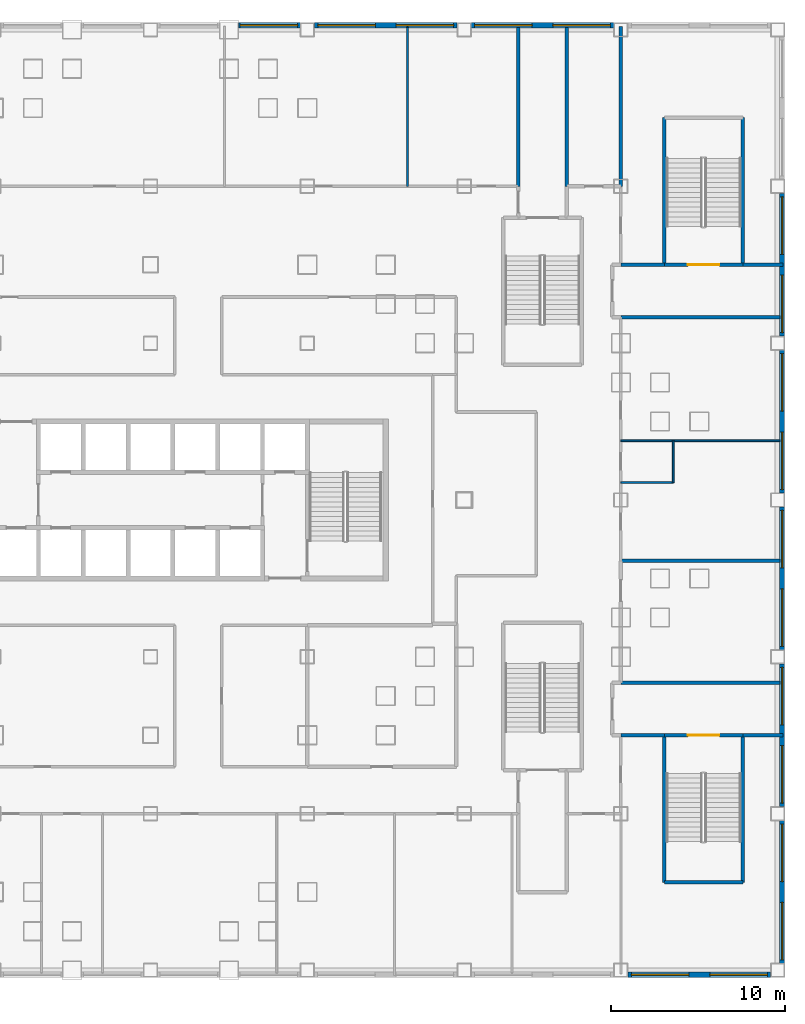
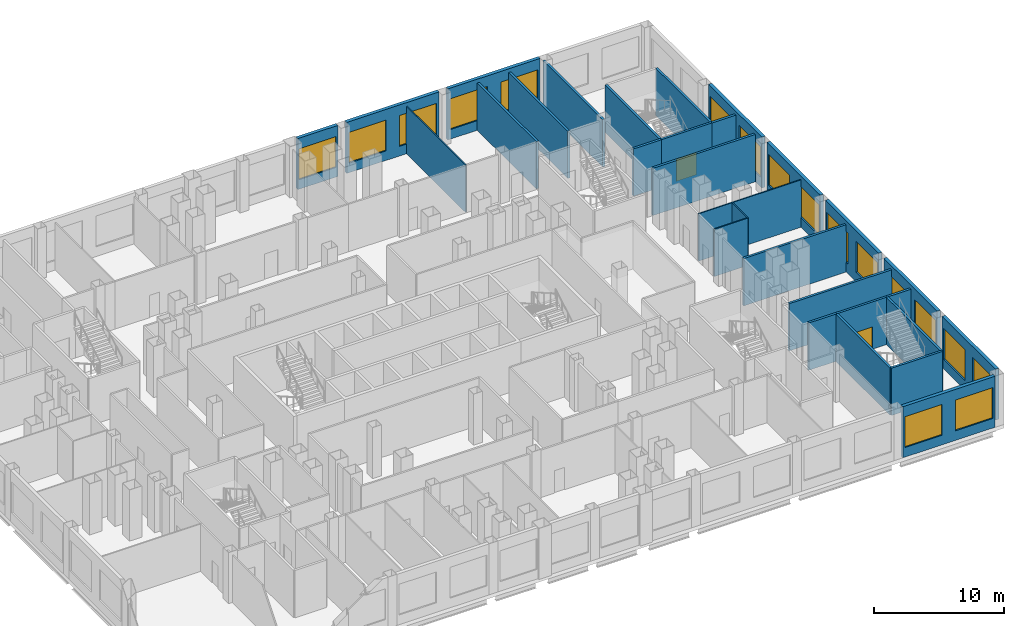
# One storey, part 8 of 23: 31 walls, 17 windows, 2 doors, 19 openings.
"""IFC4 building model written with IfcOpenShell, lengths in metres."""

from ifc_helpers import new_model, si_unit, direction, frame, frame_2d, origin, place, context, subcontext, project, spatial, rectangle, extrude, material, layer, layer_set, type_object, element, fill, save


model = new_model("IFC4")

# Units and contexts
model_context = context("Model", 3, precision=1e-05, world=origin(), true_north=direction((0.0, 1.0)))
body_context = subcontext(model_context, "Body", "Model", "MODEL_VIEW")
ifc_project = project(units=[si_unit("LENGTHUNIT", "METRE"), si_unit("AREAUNIT", "SQUARE_METRE"), si_unit("VOLUMEUNIT", "CUBIC_METRE"), si_unit("PLANEANGLEUNIT", "RADIAN"), si_unit("MASSUNIT", "GRAM", prefix="KILO")], contexts=[model_context])

# Site, building, storey
site_placement = place(None, origin())
site = spatial("IfcSite", under=ifc_project, at=site_placement, CompositionType="ELEMENT")
building_placement = place(site_placement, origin())
building = spatial("IfcBuilding", under=site, at=building_placement, Name="Caravel Reach Hotel and Residences", CompositionType="ELEMENT")
storey_placement = place(building_placement, frame((0.0, 0.0, 24.0)))
storey = spatial("IfcBuildingStorey", under=building, at=storey_placement, Name="L04", CompositionType="ELEMENT", Elevation=24.0)

# Walls
ifc_material_1 = material(Name="Autoclaved aerated block wall")
ifc_layer_1 = layer(ifc_material_1, 0.199951171875)
ifc_layer_set_1 = layer_set([ifc_layer_1], Name="Compartment wall 200 mm EI 120")
wall_type_1 = type_object("IfcWallType", Name="Compartment wall 200 mm EI 120", PredefinedType="PARTITIONING", material=ifc_layer_set_1)
wall_1_placement = place(storey_placement, frame((58.5, 13.5, 0.0), z_axis=(0.0, 0.0, 1.0), x_axis=(1.0, 0.0, 0.0)))
element("IfcWall", 1, at=wall_1_placement, inside=storey, type_object=wall_type_1, Name="L04 wall w089", PredefinedType="PARTITIONING", context=body_context, shape_type="SweptSolid", body=[
    extrude(rectangle(XDim=2.5, YDim=0.199951171875, at=frame_2d((1.25, 0.0))), origin(), (0.0, 0.0, 1.0), 4.449951171875),
])
wall_2_placement = place(storey_placement, frame((65.5, 13.5, 0.0), z_axis=(0.0, 0.0, 1.0), x_axis=(1.0, 0.0, 0.0)))
element("IfcWall", 2, at=wall_2_placement, inside=storey, type_object=wall_type_1, Name="L04 wall w090", PredefinedType="PARTITIONING", context=body_context, shape_type="SweptSolid", body=[
    extrude(rectangle(XDim=2.2900390625, YDim=0.199951171875, at=frame_2d((1.14501953125, 0.0))), origin(), (0.0, 0.0, 1.0), 4.449951171875),
])
for number, where, z_axis, x_axis, name in (
    (3, (58.5, 16.5, 0.0), (0.0, 0.0, 1.0), (1.0, 0.0, 0.0), "L04 wall w092"),
    (4, (58.5, 23.5, 0.0), (0.0, 0.0, 1.0), (1.0, 0.0, 0.0), "L04 wall w095"),
    (5, (58.5, 37.5, 0.0), (0.0, 0.0, 1.0), (1.0, 0.0, 0.0), "L04 wall w099"),
):
    element("IfcWall", number, at=place(storey_placement, frame(where, z_axis=z_axis, x_axis=x_axis)), inside=storey, type_object=wall_type_1, Name=name, PredefinedType="PARTITIONING", context=body_context, shape_type="SweptSolid", body=[
        extrude(rectangle(XDim=9.1201171875, YDim=0.199951171875, at=frame_2d((4.56005859375, 0.0))), origin(), (0.0, 0.0, 1.0), 4.449951171875),
    ])
wall_3_placement = place(storey_placement, frame((58.5, 40.5, 0.0), z_axis=(0.0, 0.0, 1.0), x_axis=(1.0, 0.0, 0.0)))
element("IfcWall", 6, at=wall_3_placement, inside=storey, type_object=wall_type_1, Name="L04 wall w106", PredefinedType="PARTITIONING", context=body_context, shape_type="SweptSolid", body=[
    extrude(rectangle(XDim=2.5, YDim=0.199951171875, at=frame_2d((1.25, 0.0))), origin(), (0.0, 0.0, 1.0), 4.449951171875),
])
wall_4_placement = place(storey_placement, frame((65.5, 40.5, 0.0), z_axis=(0.0, 0.0, 1.0), x_axis=(1.0, 0.0, 0.0)))
element("IfcWall", 7, at=wall_4_placement, inside=storey, type_object=wall_type_1, Name="L04 wall w107", PredefinedType="PARTITIONING", context=body_context, shape_type="SweptSolid", body=[
    extrude(rectangle(XDim=2.2900390625, YDim=0.199951171875, at=frame_2d((1.14501953125, 0.0))), origin(), (0.0, 0.0, 1.0), 4.449951171875),
])
for number, where, z_axis, x_axis, name in (
    (8, (52.60009765625, 45.0, 0.0), (0.0, 0.0, 1.0), (0.0, 1.0, 0.0), "L04 wall w117"),
    (9, (55.39990234375, 45.0, 0.0), (0.0, 0.0, 1.0), (0.0, 1.0, 0.0), "L04 wall w121"),
):
    element("IfcWall", number, at=place(storey_placement, frame(where, z_axis=z_axis, x_axis=x_axis)), inside=storey, type_object=wall_type_1, Name=name, PredefinedType="PARTITIONING", context=body_context, shape_type="SweptSolid", body=[
        extrude(rectangle(XDim=9.1201171875, YDim=0.199951171875, at=frame_2d((4.56005859375, 0.0))), origin(), (0.0, 0.0, 1.0), 4.449951171875),
    ])
wall_5_placement = place(storey_placement, frame((58.5, 45.0, 0.0), z_axis=(0.0, 0.0, 1.0), x_axis=(0.0, 1.0, 0.0)))
element("IfcWall", 10, at=wall_5_placement, inside=storey, type_object=wall_type_1, Name="L04 wall w127", PredefinedType="PARTITIONING", context=body_context, shape_type="SweptSolid", body=[
    extrude(rectangle(XDim=9.18994140625, YDim=0.199951171875, at=frame_2d((4.594970703125, 0.0))), origin(), (0.0, 0.0, 1.0), 4.449951171875),
])

# Wall, openings, windows
ifc_material_2 = material(Name="Insulated wall, stone cladding", Category="masonry")
ifc_layer_2 = layer(ifc_material_2, 0.300048828125)
ifc_layer_set_2 = layer_set([ifc_layer_2], Name="EW2 Podium stone-clad wall")
wall_type_2 = type_object("IfcWallType", Name="EW2 Podium stone-clad wall", PredefinedType="SOLIDWALL", material=ifc_layer_set_2)
wall_6_placement = place(storey_placement, frame((67.75, 0.39990234375, 0.0), z_axis=(0.0, 0.0, 1.0), x_axis=(0.0, 1.0, 0.0)))
wall_6 = element("IfcWall", 11, at=wall_6_placement, inside=storey, type_object=wall_type_2, Name="External wall L04 E1.1", PredefinedType="SOLIDWALL", context=body_context, shape_type="SweptSolid", body=[
    extrude(rectangle(XDim=8.2001953125, YDim=0.300048828125, at=frame_2d((4.10009765625, 0.0))), origin(), (0.0, 0.0, 1.0), 4.800048828125),
])
opening_1_placement = place(wall_6_placement, frame((0.199951171875, 0.0, 0.89990234375)))
opening_1 = element("IfcOpeningElement", 12, at=opening_1_placement, cuts=wall_6, Name="Opening WN32", PredefinedType="OPENING", context=body_context, shape_type="SweptSolid", body=[
    extrude(rectangle(XDim=3.300048828125, YDim=2.89990234375, at=frame_2d((1.64990234375, 1.449951171875))), frame((0.0, 0.159912109375, 0.0), z_axis=(0.0, -1.0, 0.0), x_axis=(1.0, 0.0, 0.0)), (0.0, 0.0, 1.0), 0.320068359375),
])
opening_2_placement = place(wall_6_placement, frame((4.699951171875, 0.0, 0.89990234375)))
opening_2 = element("IfcOpeningElement", 13, at=opening_2_placement, cuts=wall_6, Name="Opening WN32", PredefinedType="OPENING", context=body_context, shape_type="SweptSolid", body=[
    extrude(rectangle(XDim=3.300048828125, YDim=2.89990234375, at=frame_2d((1.64990234375, 1.449951171875))), frame((0.0, 0.159912109375, 0.0), z_axis=(0.0, -1.0, 0.0), x_axis=(1.0, 0.0, 0.0)), (0.0, 0.0, 1.0), 0.320068359375),
])
ifc_material_3 = material(Name="Dark low-e glazing in black aluminium frame", Category="aluminium")
window_type = type_object("IfcWindowType", Name="Podium window 3300 x 2900", PartitioningType="SINGLE_PANEL", PredefinedType="WINDOW", material=ifc_material_3)
window_1_placement = place(opening_1_placement, origin())
window_1 = element("IfcWindow", 14, at=window_1_placement, inside=storey, type_object=window_type, Name="Window L04 E1.1.1", OverallHeight=2.89990234375, OverallWidth=3.300048828125, PartitioningType="SINGLE_PANEL", PredefinedType="WINDOW", context=body_context, shape_type="SweptSolid", body=[
    extrude(rectangle(XDim=3.300048828125, YDim=2.89990234375, at=frame_2d((1.64990234375, 1.449951171875))), frame((0.0, 0.030029296875, 0.0), z_axis=(0.0, -1.0, 0.0), x_axis=(1.0, 0.0, 0.0)), (0.0, 0.0, 1.0), 0.06005859375),
])
fill(opening_1, window_1)
window_2_placement = place(opening_2_placement, origin())
window_2 = element("IfcWindow", 15, at=window_2_placement, inside=storey, type_object=window_type, Name="Window L04 E1.1.2", OverallHeight=2.89990234375, OverallWidth=3.300048828125, PartitioningType="SINGLE_PANEL", PredefinedType="WINDOW", context=body_context, shape_type="SweptSolid", body=[
    extrude(rectangle(XDim=3.300048828125, YDim=2.89990234375, at=frame_2d((1.64990234375, 1.449951171875))), frame((0.0, 0.030029296875, 0.0), z_axis=(0.0, -1.0, 0.0), x_axis=(1.0, 0.0, 0.0)), (0.0, 0.0, 1.0), 0.06005859375),
])
fill(opening_2, window_2)

wall_7_placement = place(storey_placement, frame((67.75, 9.39990234375, 0.0), z_axis=(0.0, 0.0, 1.0), x_axis=(0.0, 1.0, 0.0)))
wall_7 = element("IfcWall", 16, at=wall_7_placement, inside=storey, type_object=wall_type_2, Name="External wall L04 E1.2", PredefinedType="SOLIDWALL", context=body_context, shape_type="SweptSolid", body=[
    extrude(rectangle(XDim=8.2001953125, YDim=0.300048828125, at=frame_2d((4.10009765625, 0.0))), origin(), (0.0, 0.0, 1.0), 4.800048828125),
])
opening_3_placement = place(wall_7_placement, frame((0.199951171875, 0.0, 0.89990234375)))
opening_3 = element("IfcOpeningElement", 17, at=opening_3_placement, cuts=wall_7, Name="Opening WN32", PredefinedType="OPENING", context=body_context, shape_type="SweptSolid", body=[
    extrude(rectangle(XDim=3.300048828125, YDim=2.89990234375, at=frame_2d((1.64990234375, 1.449951171875))), frame((0.0, 0.159912109375, 0.0), z_axis=(0.0, -1.0, 0.0), x_axis=(1.0, 0.0, 0.0)), (0.0, 0.0, 1.0), 0.320068359375),
])
opening_4_placement = place(wall_7_placement, frame((4.699951171875, 0.0, 0.89990234375)))
opening_4 = element("IfcOpeningElement", 18, at=opening_4_placement, cuts=wall_7, Name="Opening WN32", PredefinedType="OPENING", context=body_context, shape_type="SweptSolid", body=[
    extrude(rectangle(XDim=3.300048828125, YDim=2.89990234375, at=frame_2d((1.64990234375, 1.449951171875))), frame((0.0, 0.159912109375, 0.0), z_axis=(0.0, -1.0, 0.0), x_axis=(1.0, 0.0, 0.0)), (0.0, 0.0, 1.0), 0.320068359375),
])
window_3_placement = place(opening_3_placement, origin())
window_3 = element("IfcWindow", 19, at=window_3_placement, inside=storey, type_object=window_type, Name="Window L04 E1.2.1", OverallHeight=2.89990234375, OverallWidth=3.300048828125, PartitioningType="SINGLE_PANEL", PredefinedType="WINDOW", context=body_context, shape_type="SweptSolid", body=[
    extrude(rectangle(XDim=3.300048828125, YDim=2.89990234375, at=frame_2d((1.64990234375, 1.449951171875))), frame((0.0, 0.030029296875, 0.0), z_axis=(0.0, -1.0, 0.0), x_axis=(1.0, 0.0, 0.0)), (0.0, 0.0, 1.0), 0.06005859375),
])
fill(opening_3, window_3)
window_4_placement = place(opening_4_placement, origin())
window_4 = element("IfcWindow", 20, at=window_4_placement, inside=storey, type_object=window_type, Name="Window L04 E1.2.2", OverallHeight=2.89990234375, OverallWidth=3.300048828125, PartitioningType="SINGLE_PANEL", PredefinedType="WINDOW", context=body_context, shape_type="SweptSolid", body=[
    extrude(rectangle(XDim=3.300048828125, YDim=2.89990234375, at=frame_2d((1.64990234375, 1.449951171875))), frame((0.0, 0.030029296875, 0.0), z_axis=(0.0, -1.0, 0.0), x_axis=(1.0, 0.0, 0.0)), (0.0, 0.0, 1.0), 0.06005859375),
])
fill(opening_4, window_4)

wall_8_placement = place(storey_placement, frame((67.75, 18.39990234375, 0.0), z_axis=(0.0, 0.0, 1.0), x_axis=(0.0, 1.0, 0.0)))
wall_8 = element("IfcWall", 21, at=wall_8_placement, inside=storey, type_object=wall_type_2, Name="External wall L04 E1.3", PredefinedType="SOLIDWALL", context=body_context, shape_type="SweptSolid", body=[
    extrude(rectangle(XDim=8.2001953125, YDim=0.300048828125, at=frame_2d((4.10009765625, 0.0))), origin(), (0.0, 0.0, 1.0), 4.800048828125),
])
opening_5_placement = place(wall_8_placement, frame((0.199951171875, 0.0, 0.89990234375)))
opening_5 = element("IfcOpeningElement", 22, at=opening_5_placement, cuts=wall_8, Name="Opening WN32", PredefinedType="OPENING", context=body_context, shape_type="SweptSolid", body=[
    extrude(rectangle(XDim=3.300048828125, YDim=2.89990234375, at=frame_2d((1.64990234375, 1.449951171875))), frame((0.0, 0.159912109375, 0.0), z_axis=(0.0, -1.0, 0.0), x_axis=(1.0, 0.0, 0.0)), (0.0, 0.0, 1.0), 0.320068359375),
])
opening_6_placement = place(wall_8_placement, frame((4.699951171875, 0.0, 0.89990234375)))
opening_6 = element("IfcOpeningElement", 23, at=opening_6_placement, cuts=wall_8, Name="Opening WN32", PredefinedType="OPENING", context=body_context, shape_type="SweptSolid", body=[
    extrude(rectangle(XDim=3.300048828125, YDim=2.89990234375, at=frame_2d((1.64990234375, 1.449951171875))), frame((0.0, 0.159912109375, 0.0), z_axis=(0.0, -1.0, 0.0), x_axis=(1.0, 0.0, 0.0)), (0.0, 0.0, 1.0), 0.320068359375),
])
window_5_placement = place(opening_5_placement, origin())
window_5 = element("IfcWindow", 24, at=window_5_placement, inside=storey, type_object=window_type, Name="Window L04 E1.3.1", OverallHeight=2.89990234375, OverallWidth=3.300048828125, PartitioningType="SINGLE_PANEL", PredefinedType="WINDOW", context=body_context, shape_type="SweptSolid", body=[
    extrude(rectangle(XDim=3.300048828125, YDim=2.89990234375, at=frame_2d((1.64990234375, 1.449951171875))), frame((0.0, 0.030029296875, 0.0), z_axis=(0.0, -1.0, 0.0), x_axis=(1.0, 0.0, 0.0)), (0.0, 0.0, 1.0), 0.06005859375),
])
fill(opening_5, window_5)
window_6_placement = place(opening_6_placement, origin())
window_6 = element("IfcWindow", 25, at=window_6_placement, inside=storey, type_object=window_type, Name="Window L04 E1.3.2", OverallHeight=2.89990234375, OverallWidth=3.300048828125, PartitioningType="SINGLE_PANEL", PredefinedType="WINDOW", context=body_context, shape_type="SweptSolid", body=[
    extrude(rectangle(XDim=3.300048828125, YDim=2.89990234375, at=frame_2d((1.64990234375, 1.449951171875))), frame((0.0, 0.030029296875, 0.0), z_axis=(0.0, -1.0, 0.0), x_axis=(1.0, 0.0, 0.0)), (0.0, 0.0, 1.0), 0.06005859375),
])
fill(opening_6, window_6)

wall_9_placement = place(storey_placement, frame((67.75, 27.39990234375, 0.0), z_axis=(0.0, 0.0, 1.0), x_axis=(0.0, 1.0, 0.0)))
wall_9 = element("IfcWall", 26, at=wall_9_placement, inside=storey, type_object=wall_type_2, Name="External wall L04 E1.4", PredefinedType="SOLIDWALL", context=body_context, shape_type="SweptSolid", body=[
    extrude(rectangle(XDim=8.2001953125, YDim=0.300048828125, at=frame_2d((4.10009765625, 0.0))), origin(), (0.0, 0.0, 1.0), 4.800048828125),
])
opening_7_placement = place(wall_9_placement, frame((0.199951171875, 0.0, 0.89990234375)))
opening_7 = element("IfcOpeningElement", 27, at=opening_7_placement, cuts=wall_9, Name="Opening WN32", PredefinedType="OPENING", context=body_context, shape_type="SweptSolid", body=[
    extrude(rectangle(XDim=3.300048828125, YDim=2.89990234375, at=frame_2d((1.64990234375, 1.449951171875))), frame((0.0, 0.159912109375, 0.0), z_axis=(0.0, -1.0, 0.0), x_axis=(1.0, 0.0, 0.0)), (0.0, 0.0, 1.0), 0.320068359375),
])
opening_8_placement = place(wall_9_placement, frame((4.699951171875, 0.0, 0.89990234375)))
opening_8 = element("IfcOpeningElement", 28, at=opening_8_placement, cuts=wall_9, Name="Opening WN32", PredefinedType="OPENING", context=body_context, shape_type="SweptSolid", body=[
    extrude(rectangle(XDim=3.300048828125, YDim=2.89990234375, at=frame_2d((1.64990234375, 1.449951171875))), frame((0.0, 0.159912109375, 0.0), z_axis=(0.0, -1.0, 0.0), x_axis=(1.0, 0.0, 0.0)), (0.0, 0.0, 1.0), 0.320068359375),
])
window_7_placement = place(opening_7_placement, origin())
window_7 = element("IfcWindow", 29, at=window_7_placement, inside=storey, type_object=window_type, Name="Window L04 E1.4.1", OverallHeight=2.89990234375, OverallWidth=3.300048828125, PartitioningType="SINGLE_PANEL", PredefinedType="WINDOW", context=body_context, shape_type="SweptSolid", body=[
    extrude(rectangle(XDim=3.300048828125, YDim=2.89990234375, at=frame_2d((1.64990234375, 1.449951171875))), frame((0.0, 0.030029296875, 0.0), z_axis=(0.0, -1.0, 0.0), x_axis=(1.0, 0.0, 0.0)), (0.0, 0.0, 1.0), 0.06005859375),
])
fill(opening_7, window_7)
window_8_placement = place(opening_8_placement, origin())
window_8 = element("IfcWindow", 30, at=window_8_placement, inside=storey, type_object=window_type, Name="Window L04 E1.4.2", OverallHeight=2.89990234375, OverallWidth=3.300048828125, PartitioningType="SINGLE_PANEL", PredefinedType="WINDOW", context=body_context, shape_type="SweptSolid", body=[
    extrude(rectangle(XDim=3.300048828125, YDim=2.89990234375, at=frame_2d((1.64990234375, 1.449951171875))), frame((0.0, 0.030029296875, 0.0), z_axis=(0.0, -1.0, 0.0), x_axis=(1.0, 0.0, 0.0)), (0.0, 0.0, 1.0), 0.06005859375),
])
fill(opening_8, window_8)

wall_10_placement = place(storey_placement, frame((67.75, 36.39990234375, 0.0), z_axis=(0.0, 0.0, 1.0), x_axis=(0.0, 1.0, 0.0)))
wall_10 = element("IfcWall", 31, at=wall_10_placement, inside=storey, type_object=wall_type_2, Name="External wall L04 E1.5", PredefinedType="SOLIDWALL", context=body_context, shape_type="SweptSolid", body=[
    extrude(rectangle(XDim=8.2001953125, YDim=0.300048828125, at=frame_2d((4.10009765625, 0.0))), origin(), (0.0, 0.0, 1.0), 4.800048828125),
])
opening_9_placement = place(wall_10_placement, frame((0.199951171875, 0.0, 0.89990234375)))
opening_9 = element("IfcOpeningElement", 32, at=opening_9_placement, cuts=wall_10, Name="Opening WN32", PredefinedType="OPENING", context=body_context, shape_type="SweptSolid", body=[
    extrude(rectangle(XDim=3.300048828125, YDim=2.89990234375, at=frame_2d((1.64990234375, 1.449951171875))), frame((0.0, 0.159912109375, 0.0), z_axis=(0.0, -1.0, 0.0), x_axis=(1.0, 0.0, 0.0)), (0.0, 0.0, 1.0), 0.320068359375),
])
opening_10_placement = place(wall_10_placement, frame((4.699951171875, 0.0, 0.89990234375)))
opening_10 = element("IfcOpeningElement", 33, at=opening_10_placement, cuts=wall_10, Name="Opening WN32", PredefinedType="OPENING", context=body_context, shape_type="SweptSolid", body=[
    extrude(rectangle(XDim=3.300048828125, YDim=2.89990234375, at=frame_2d((1.64990234375, 1.449951171875))), frame((0.0, 0.159912109375, 0.0), z_axis=(0.0, -1.0, 0.0), x_axis=(1.0, 0.0, 0.0)), (0.0, 0.0, 1.0), 0.320068359375),
])
window_9_placement = place(opening_9_placement, origin())
window_9 = element("IfcWindow", 34, at=window_9_placement, inside=storey, type_object=window_type, Name="Window L04 E1.5.1", OverallHeight=2.89990234375, OverallWidth=3.300048828125, PartitioningType="SINGLE_PANEL", PredefinedType="WINDOW", context=body_context, shape_type="SweptSolid", body=[
    extrude(rectangle(XDim=3.300048828125, YDim=2.89990234375, at=frame_2d((1.64990234375, 1.449951171875))), frame((0.0, 0.030029296875, 0.0), z_axis=(0.0, -1.0, 0.0), x_axis=(1.0, 0.0, 0.0)), (0.0, 0.0, 1.0), 0.06005859375),
])
fill(opening_9, window_9)
window_10_placement = place(opening_10_placement, origin())
window_10 = element("IfcWindow", 35, at=window_10_placement, inside=storey, type_object=window_type, Name="Window L04 E1.5.2", OverallHeight=2.89990234375, OverallWidth=3.300048828125, PartitioningType="SINGLE_PANEL", PredefinedType="WINDOW", context=body_context, shape_type="SweptSolid", body=[
    extrude(rectangle(XDim=3.300048828125, YDim=2.89990234375, at=frame_2d((1.64990234375, 1.449951171875))), frame((0.0, 0.030029296875, 0.0), z_axis=(0.0, -1.0, 0.0), x_axis=(1.0, 0.0, 0.0)), (0.0, 0.0, 1.0), 0.06005859375),
])
fill(opening_10, window_10)

wall_11_placement = place(storey_placement, frame((58.10009765625, 54.25, 0.0), z_axis=(0.0, 0.0, 1.0), x_axis=(-1.0, 0.0, 0.0)))
wall_11 = element("IfcWall", 36, at=wall_11_placement, inside=storey, type_object=wall_type_2, Name="External wall L04 N2.2", PredefinedType="SOLIDWALL", context=body_context, shape_type="SweptSolid", body=[
    extrude(rectangle(XDim=8.2001953125, YDim=0.300048828125, at=frame_2d((4.10009765625, 0.0))), origin(), (0.0, 0.0, 1.0), 4.800048828125),
])
opening_11_placement = place(wall_11_placement, frame((0.199951171875, 0.0, 0.89990234375)))
opening_11 = element("IfcOpeningElement", 37, at=opening_11_placement, cuts=wall_11, Name="Opening WN32", PredefinedType="OPENING", context=body_context, shape_type="SweptSolid", body=[
    extrude(rectangle(XDim=3.300048828125, YDim=2.89990234375, at=frame_2d((1.64990234375, 1.449951171875))), frame((0.0, 0.159912109375, 0.0), z_axis=(0.0, -1.0, 0.0), x_axis=(1.0, 0.0, 0.0)), (0.0, 0.0, 1.0), 0.320068359375),
])
opening_12_placement = place(wall_11_placement, frame((4.699951171875, 0.0, 0.89990234375)))
opening_12 = element("IfcOpeningElement", 38, at=opening_12_placement, cuts=wall_11, Name="Opening WN32", PredefinedType="OPENING", context=body_context, shape_type="SweptSolid", body=[
    extrude(rectangle(XDim=3.300048828125, YDim=2.89990234375, at=frame_2d((1.64990234375, 1.449951171875))), frame((0.0, 0.159912109375, 0.0), z_axis=(0.0, -1.0, 0.0), x_axis=(1.0, 0.0, 0.0)), (0.0, 0.0, 1.0), 0.320068359375),
])
window_11_placement = place(opening_11_placement, origin())
window_11 = element("IfcWindow", 39, at=window_11_placement, inside=storey, type_object=window_type, Name="Window L04 N2.2.1", OverallHeight=2.89990234375, OverallWidth=3.300048828125, PartitioningType="SINGLE_PANEL", PredefinedType="WINDOW", context=body_context, shape_type="SweptSolid", body=[
    extrude(rectangle(XDim=3.300048828125, YDim=2.89990234375, at=frame_2d((1.64990234375, 1.449951171875))), frame((0.0, 0.030029296875, 0.0), z_axis=(0.0, -1.0, 0.0), x_axis=(1.0, 0.0, 0.0)), (0.0, 0.0, 1.0), 0.06005859375),
])
fill(opening_11, window_11)
window_12_placement = place(opening_12_placement, origin())
window_12 = element("IfcWindow", 40, at=window_12_placement, inside=storey, type_object=window_type, Name="Window L04 N2.2.2", OverallHeight=2.89990234375, OverallWidth=3.300048828125, PartitioningType="SINGLE_PANEL", PredefinedType="WINDOW", context=body_context, shape_type="SweptSolid", body=[
    extrude(rectangle(XDim=3.300048828125, YDim=2.89990234375, at=frame_2d((1.64990234375, 1.449951171875))), frame((0.0, 0.030029296875, 0.0), z_axis=(0.0, -1.0, 0.0), x_axis=(1.0, 0.0, 0.0)), (0.0, 0.0, 1.0), 0.06005859375),
])
fill(opening_12, window_12)

wall_12_placement = place(storey_placement, frame((49.10009765625, 54.25, 0.0), z_axis=(0.0, 0.0, 1.0), x_axis=(-1.0, 0.0, 0.0)))
wall_12 = element("IfcWall", 41, at=wall_12_placement, inside=storey, type_object=wall_type_2, Name="External wall L04 N2.3", PredefinedType="SOLIDWALL", context=body_context, shape_type="SweptSolid", body=[
    extrude(rectangle(XDim=8.2001953125, YDim=0.300048828125, at=frame_2d((4.10009765625, 0.0))), origin(), (0.0, 0.0, 1.0), 4.800048828125),
])
opening_13_placement = place(wall_12_placement, frame((0.199951171875, 0.0, 0.89990234375)))
opening_13 = element("IfcOpeningElement", 42, at=opening_13_placement, cuts=wall_12, Name="Opening WN32", PredefinedType="OPENING", context=body_context, shape_type="SweptSolid", body=[
    extrude(rectangle(XDim=3.300048828125, YDim=2.89990234375, at=frame_2d((1.64990234375, 1.449951171875))), frame((0.0, 0.159912109375, 0.0), z_axis=(0.0, -1.0, 0.0), x_axis=(1.0, 0.0, 0.0)), (0.0, 0.0, 1.0), 0.320068359375),
])
opening_14_placement = place(wall_12_placement, frame((4.699951171875, 0.0, 0.89990234375)))
opening_14 = element("IfcOpeningElement", 43, at=opening_14_placement, cuts=wall_12, Name="Opening WN32", PredefinedType="OPENING", context=body_context, shape_type="SweptSolid", body=[
    extrude(rectangle(XDim=3.300048828125, YDim=2.89990234375, at=frame_2d((1.64990234375, 1.449951171875))), frame((0.0, 0.159912109375, 0.0), z_axis=(0.0, -1.0, 0.0), x_axis=(1.0, 0.0, 0.0)), (0.0, 0.0, 1.0), 0.320068359375),
])
window_13_placement = place(opening_13_placement, origin())
window_13 = element("IfcWindow", 44, at=window_13_placement, inside=storey, type_object=window_type, Name="Window L04 N2.3.1", OverallHeight=2.89990234375, OverallWidth=3.300048828125, PartitioningType="SINGLE_PANEL", PredefinedType="WINDOW", context=body_context, shape_type="SweptSolid", body=[
    extrude(rectangle(XDim=3.300048828125, YDim=2.89990234375, at=frame_2d((1.64990234375, 1.449951171875))), frame((0.0, 0.030029296875, 0.0), z_axis=(0.0, -1.0, 0.0), x_axis=(1.0, 0.0, 0.0)), (0.0, 0.0, 1.0), 0.06005859375),
])
fill(opening_13, window_13)
window_14_placement = place(opening_14_placement, origin())
window_14 = element("IfcWindow", 45, at=window_14_placement, inside=storey, type_object=window_type, Name="Window L04 N2.3.2", OverallHeight=2.89990234375, OverallWidth=3.300048828125, PartitioningType="SINGLE_PANEL", PredefinedType="WINDOW", context=body_context, shape_type="SweptSolid", body=[
    extrude(rectangle(XDim=3.300048828125, YDim=2.89990234375, at=frame_2d((1.64990234375, 1.449951171875))), frame((0.0, 0.030029296875, 0.0), z_axis=(0.0, -1.0, 0.0), x_axis=(1.0, 0.0, 0.0)), (0.0, 0.0, 1.0), 0.06005859375),
])
fill(opening_14, window_14)

# Wall, opening, window
wall_13_placement = place(storey_placement, frame((40.10009765625, 54.25, 0.0), z_axis=(0.0, 0.0, 1.0), x_axis=(-1.0, 0.0, 0.0)))
wall_13 = element("IfcWall", 46, at=wall_13_placement, inside=storey, type_object=wall_type_2, Name="External wall L04 N2.4", PredefinedType="SOLIDWALL", context=body_context, shape_type="SweptSolid", body=[
    extrude(rectangle(XDim=3.550048828125, YDim=0.300048828125, at=frame_2d((1.77490234375, 0.0))), origin(), (0.0, 0.0, 1.0), 4.800048828125),
])
opening_15_placement = place(wall_13_placement, frame((0.14990234375, 0.0, 0.89990234375)))
opening_15 = element("IfcOpeningElement", 47, at=opening_15_placement, cuts=wall_13, Name="Opening WN32", PredefinedType="OPENING", context=body_context, shape_type="SweptSolid", body=[
    extrude(rectangle(XDim=3.300048828125, YDim=2.89990234375, at=frame_2d((1.64990234375, 1.449951171875))), frame((0.0, 0.159912109375, 0.0), z_axis=(0.0, -1.0, 0.0), x_axis=(1.0, 0.0, 0.0)), (0.0, 0.0, 1.0), 0.320068359375),
])
window_15_placement = place(opening_15_placement, origin())
window_15 = element("IfcWindow", 48, at=window_15_placement, inside=storey, type_object=window_type, Name="Window L04 N2.4.1", OverallHeight=2.89990234375, OverallWidth=3.300048828125, PartitioningType="SINGLE_PANEL", PredefinedType="WINDOW", context=body_context, shape_type="SweptSolid", body=[
    extrude(rectangle(XDim=3.300048828125, YDim=2.89990234375, at=frame_2d((1.64990234375, 1.449951171875))), frame((0.0, 0.030029296875, 0.0), z_axis=(0.0, -1.0, 0.0), x_axis=(1.0, 0.0, 0.0)), (0.0, 0.0, 1.0), 0.06005859375),
])
fill(opening_15, window_15)

# Wall, openings, windows
wall_14_placement = place(storey_placement, frame((58.89990234375, -0.25, 0.0), z_axis=(0.0, 0.0, 1.0), x_axis=(1.0, 0.0, 0.0)))
wall_14 = element("IfcWall", 49, at=wall_14_placement, inside=storey, type_object=wall_type_2, Name="External wall L04 S4.10", PredefinedType="SOLIDWALL", context=body_context, shape_type="SweptSolid", body=[
    extrude(rectangle(XDim=8.2001953125, YDim=0.300048828125, at=frame_2d((4.10009765625, 0.0))), origin(), (0.0, 0.0, 1.0), 4.800048828125),
])
opening_16_placement = place(wall_14_placement, frame((0.199951171875, 0.0, 0.89990234375)))
opening_16 = element("IfcOpeningElement", 50, at=opening_16_placement, cuts=wall_14, Name="Opening WN32", PredefinedType="OPENING", context=body_context, shape_type="SweptSolid", body=[
    extrude(rectangle(XDim=3.300048828125, YDim=2.89990234375, at=frame_2d((1.64990234375, 1.449951171875))), frame((0.0, 0.159912109375, 0.0), z_axis=(0.0, -1.0, 0.0), x_axis=(1.0, 0.0, 0.0)), (0.0, 0.0, 1.0), 0.320068359375),
])
opening_17_placement = place(wall_14_placement, frame((4.699951171875, 0.0, 0.89990234375)))
opening_17 = element("IfcOpeningElement", 51, at=opening_17_placement, cuts=wall_14, Name="Opening WN32", PredefinedType="OPENING", context=body_context, shape_type="SweptSolid", body=[
    extrude(rectangle(XDim=3.300048828125, YDim=2.89990234375, at=frame_2d((1.64990234375, 1.449951171875))), frame((0.0, 0.159912109375, 0.0), z_axis=(0.0, -1.0, 0.0), x_axis=(1.0, 0.0, 0.0)), (0.0, 0.0, 1.0), 0.320068359375),
])
window_16_placement = place(opening_16_placement, origin())
window_16 = element("IfcWindow", 52, at=window_16_placement, inside=storey, type_object=window_type, Name="Window L04 S4.10.1", OverallHeight=2.89990234375, OverallWidth=3.300048828125, PartitioningType="SINGLE_PANEL", PredefinedType="WINDOW", context=body_context, shape_type="SweptSolid", body=[
    extrude(rectangle(XDim=3.300048828125, YDim=2.89990234375, at=frame_2d((1.64990234375, 1.449951171875))), frame((0.0, 0.030029296875, 0.0), z_axis=(0.0, -1.0, 0.0), x_axis=(1.0, 0.0, 0.0)), (0.0, 0.0, 1.0), 0.06005859375),
])
fill(opening_16, window_16)
window_17_placement = place(opening_17_placement, origin())
window_17 = element("IfcWindow", 53, at=window_17_placement, inside=storey, type_object=window_type, Name="Window L04 S4.10.2", OverallHeight=2.89990234375, OverallWidth=3.300048828125, PartitioningType="SINGLE_PANEL", PredefinedType="WINDOW", context=body_context, shape_type="SweptSolid", body=[
    extrude(rectangle(XDim=3.300048828125, YDim=2.89990234375, at=frame_2d((1.64990234375, 1.449951171875))), frame((0.0, 0.030029296875, 0.0), z_axis=(0.0, -1.0, 0.0), x_axis=(1.0, 0.0, 0.0)), (0.0, 0.0, 1.0), 0.06005859375),
])
fill(opening_17, window_17)

# Walls
ifc_material_4 = material(Name="Gypsum board on steel stud", Category="steel")
ifc_layer_3 = layer(ifc_material_4, 0.10009765625)
ifc_layer_set_3 = layer_set([ifc_layer_3], Name="Partition 100 mm")
wall_type_3 = type_object("IfcWallType", Name="Partition 100 mm", PredefinedType="PARTITIONING", material=ifc_layer_set_3)
wall_15_placement = place(storey_placement, frame((58.5, 28.0, 0.0), z_axis=(0.0, 0.0, 1.0), x_axis=(1.0, 0.0, 0.0)))
element("IfcWall", 54, at=wall_15_placement, inside=storey, type_object=wall_type_3, Name="L04 wall w064", PredefinedType="PARTITIONING", context=body_context, shape_type="SweptSolid", body=[
    extrude(rectangle(XDim=3.0, YDim=0.10009765625, at=frame_2d((1.5, 0.0))), origin(), (0.0, 0.0, 1.0), 4.449951171875),
])
wall_16_placement = place(storey_placement, frame((61.5, 30.39990234375, 0.0), z_axis=(0.0, 0.0, 1.0), x_axis=(1.0, 0.0, 0.0)))
element("IfcWall", 55, at=wall_16_placement, inside=storey, type_object=wall_type_3, Name="L04 wall w067", PredefinedType="PARTITIONING", context=body_context, shape_type="SweptSolid", body=[
    extrude(rectangle(XDim=6.1201171875, YDim=0.10009765625, at=frame_2d((3.06005859375, 0.0))), origin(), (0.0, 0.0, 1.0), 4.449951171875),
])
wall_17_placement = place(storey_placement, frame((58.5, 30.39990234375, 0.0), z_axis=(0.0, 0.0, 1.0), x_axis=(1.0, 0.0, 0.0)))
element("IfcWall", 56, at=wall_17_placement, inside=storey, type_object=wall_type_3, Name="L04 wall w068", PredefinedType="PARTITIONING", context=body_context, shape_type="SweptSolid", body=[
    extrude(rectangle(XDim=3.0, YDim=0.10009765625, at=frame_2d((1.5, 0.0))), origin(), (0.0, 0.0, 1.0), 4.449951171875),
])
wall_18_placement = place(storey_placement, frame((46.25, 45.0, 0.0), z_axis=(0.0, 0.0, 1.0), x_axis=(0.0, 1.0, 0.0)))
element("IfcWall", 57, at=wall_18_placement, inside=storey, type_object=wall_type_3, Name="L04 wall w083", PredefinedType="PARTITIONING", context=body_context, shape_type="SweptSolid", body=[
    extrude(rectangle(XDim=9.1201171875, YDim=0.10009765625, at=frame_2d((4.56005859375, 0.0))), origin(), (0.0, 0.0, 1.0), 4.449951171875),
])
wall_19_placement = place(storey_placement, frame((61.5, 28.0, 0.0), z_axis=(0.0, 0.0, 1.0), x_axis=(0.0, 1.0, 0.0)))
element("IfcWall", 58, at=wall_19_placement, inside=storey, type_object=wall_type_3, Name="L04 wall w086", PredefinedType="PARTITIONING", context=body_context, shape_type="SweptSolid", body=[
    extrude(rectangle(XDim=2.39990234375, YDim=0.10009765625, at=frame_2d((1.199951171875, 0.0))), origin(), (0.0, 0.0, 1.0), 4.449951171875),
])

# Wall, opening, door
ifc_material_5 = material(Name="Concrete C60", Category="concrete")
ifc_layer_4 = layer(ifc_material_5, 0.199951171875)
ifc_layer_set_4 = layer_set([ifc_layer_4], Name="Stair enclosure wall 200 mm EI 120")
wall_type_4 = type_object("IfcWallType", Name="Stair enclosure wall 200 mm EI 120", PredefinedType="SHEAR", material=ifc_layer_set_4)
wall_20_placement = place(storey_placement, frame((61.0, 13.5, 0.0), z_axis=(0.0, 0.0, 1.0), x_axis=(1.0, 0.0, 0.0)))
wall_20 = element("IfcWall", 59, at=wall_20_placement, inside=storey, type_object=wall_type_4, Name="L04 wall w137", PredefinedType="SHEAR", context=body_context, shape_type="SweptSolid", body=[
    extrude(rectangle(XDim=4.5, YDim=0.199951171875, at=frame_2d((2.25, 0.0))), origin(), (0.0, 0.0, 1.0), 4.449951171875),
])
opening_18_placement = place(wall_20_placement, frame((1.35009765625, 0.0, 0.0)))
opening_18 = element("IfcOpeningElement", 60, at=opening_18_placement, cuts=wall_20, Name="Opening D04-027", PredefinedType="OPENING", context=body_context, shape_type="SweptSolid", body=[
    extrude(rectangle(XDim=1.800048828125, YDim=2.10009765625, at=frame_2d((0.89990234375, 1.050048828125))), frame((0.0, 0.10986328125, 0.0), z_axis=(0.0, -1.0, 0.0), x_axis=(1.0, 0.0, 0.0)), (0.0, 0.0, 1.0), 0.219970703125),
])
ifc_material_6 = material(Name="Steel fire door leaf", Category="steel")
door_type = type_object("IfcDoorType", Name="Stair door pair 1800 x 2100 EI 90", OperationType="DOUBLE_DOOR_SINGLE_SWING", PredefinedType="DOOR", material=ifc_material_6)
door_1_placement = place(opening_18_placement, origin())
door_1 = element("IfcDoor", 61, at=door_1_placement, inside=storey, type_object=door_type, Name="door D04-027", OperationType="DOUBLE_DOOR_SINGLE_SWING", OverallHeight=2.10009765625, OverallWidth=1.800048828125, PredefinedType="DOOR", context=body_context, shape_type="SweptSolid", body=[
    extrude(rectangle(XDim=1.800048828125, YDim=2.10009765625, at=frame_2d((0.89990234375, 1.050048828125))), frame((0.0, 0.02490234375, 0.0), z_axis=(0.0, -1.0, 0.0), x_axis=(1.0, 0.0, 0.0)), (0.0, 0.0, 1.0), 0.050048828125),
])
fill(opening_18, door_1)

wall_21_placement = place(storey_placement, frame((61.0, 40.5, 0.0), z_axis=(0.0, 0.0, 1.0), x_axis=(1.0, 0.0, 0.0)))
wall_21 = element("IfcWall", 62, at=wall_21_placement, inside=storey, type_object=wall_type_4, Name="L04 wall w143", PredefinedType="SHEAR", context=body_context, shape_type="SweptSolid", body=[
    extrude(rectangle(XDim=4.5, YDim=0.199951171875, at=frame_2d((2.25, 0.0))), origin(), (0.0, 0.0, 1.0), 4.449951171875),
])
opening_19_placement = place(wall_21_placement, frame((1.35009765625, 0.0, 0.0)))
opening_19 = element("IfcOpeningElement", 63, at=opening_19_placement, cuts=wall_21, Name="Opening D04-025", PredefinedType="OPENING", context=body_context, shape_type="SweptSolid", body=[
    extrude(rectangle(XDim=1.800048828125, YDim=2.10009765625, at=frame_2d((0.89990234375, 1.050048828125))), frame((0.0, 0.10986328125, 0.0), z_axis=(0.0, -1.0, 0.0), x_axis=(1.0, 0.0, 0.0)), (0.0, 0.0, 1.0), 0.219970703125),
])
door_2_placement = place(opening_19_placement, origin())
door_2 = element("IfcDoor", 64, at=door_2_placement, inside=storey, type_object=door_type, Name="door D04-025", OperationType="DOUBLE_DOOR_SINGLE_SWING", OverallHeight=2.10009765625, OverallWidth=1.800048828125, PredefinedType="DOOR", context=body_context, shape_type="SweptSolid", body=[
    extrude(rectangle(XDim=1.800048828125, YDim=2.10009765625, at=frame_2d((0.89990234375, 1.050048828125))), frame((0.0, 0.02490234375, 0.0), z_axis=(0.0, -1.0, 0.0), x_axis=(1.0, 0.0, 0.0)), (0.0, 0.0, 1.0), 0.050048828125),
])
fill(opening_19, door_2)

# Walls
wall_22_placement = place(storey_placement, frame((61.0, 5.050048828125, 0.0), z_axis=(0.0, 0.0, 1.0), x_axis=(1.0, 0.0, 0.0)))
element("IfcWall", 65, at=wall_22_placement, inside=storey, type_object=wall_type_4, Name="L04 wall w152", PredefinedType="SHEAR", context=body_context, shape_type="SweptSolid", body=[
    extrude(rectangle(XDim=4.5, YDim=0.199951171875, at=frame_2d((2.25, 0.0))), origin(), (0.0, 0.0, 1.0), 4.449951171875),
])
for number, where, z_axis, x_axis, name in (
    (66, (61.0, 40.5, 0.0), (0.0, 0.0, 1.0), (0.0, 1.0, 0.0), "L04 wall w165"),
    (67, (61.0, 5.050048828125, 0.0), (0.0, 0.0, 1.0), (0.0, 1.0, 0.0), "L04 wall w166"),
    (68, (65.5, 40.5, 0.0), (0.0, 0.0, 1.0), (0.0, 1.0, 0.0), "L04 wall w167"),
    (69, (65.5, 5.050048828125, 0.0), (0.0, 0.0, 1.0), (0.0, 1.0, 0.0), "L04 wall w168"),
):
    element("IfcWall", number, at=place(storey_placement, frame(where, z_axis=z_axis, x_axis=x_axis)), inside=storey, type_object=wall_type_4, Name=name, PredefinedType="SHEAR", context=body_context, shape_type="SweptSolid", body=[
        extrude(rectangle(XDim=8.449951171875, YDim=0.199951171875, at=frame_2d((4.22509765625, 0.0))), origin(), (0.0, 0.0, 1.0), 4.449951171875),
    ])

save(model, "model.ifc")
